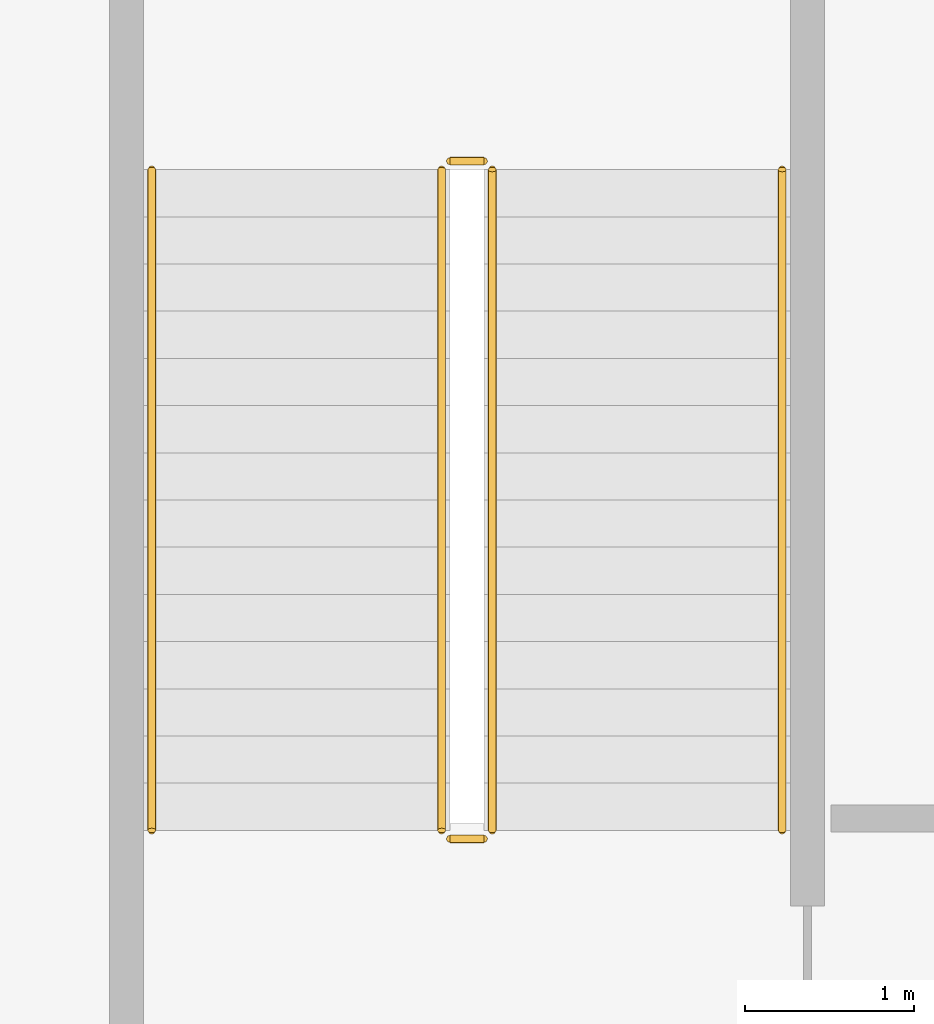
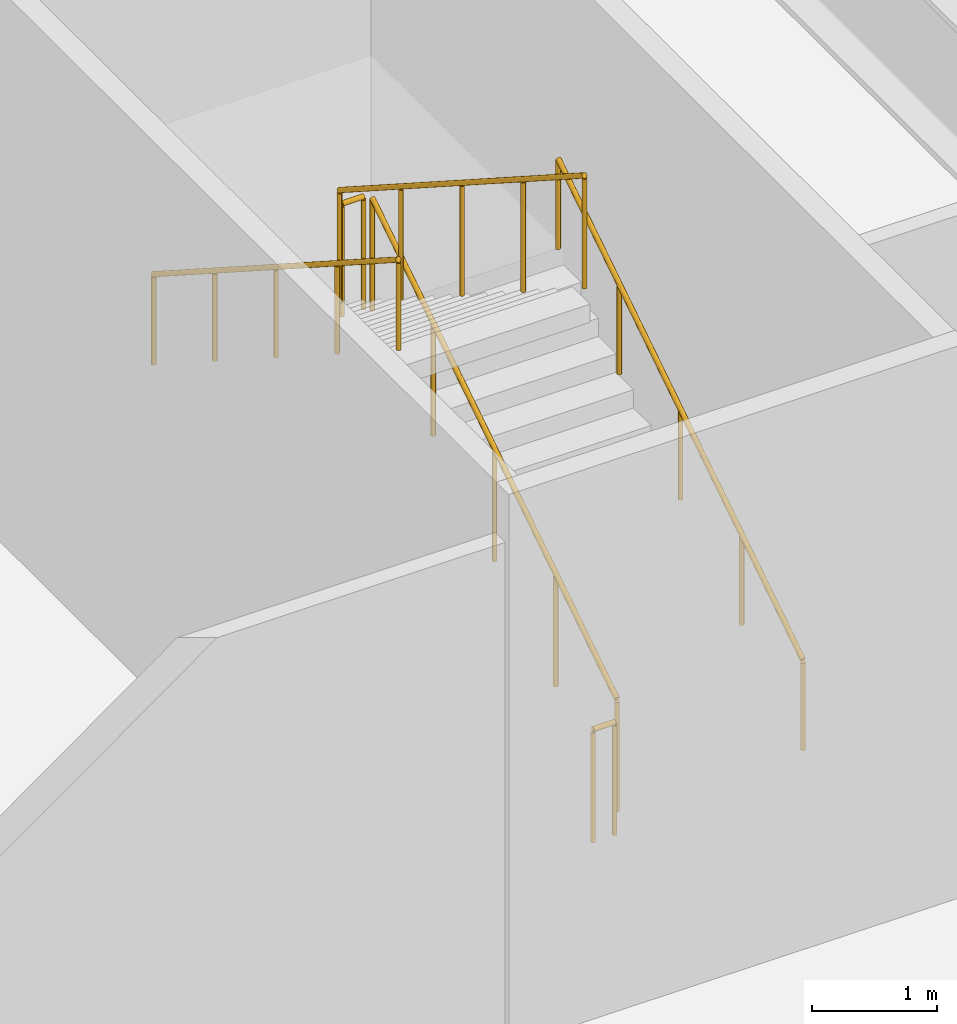
# One storey, part 23 of 24: 6 railings.
"""IFC4 building model written with IfcOpenShell, lengths in metres."""

from ifc_helpers import new_model, si_unit, direction, frame, origin, origin_2d, place, context, subcontext, project, spatial, circle, extrude, material, type_object, element, save


model = new_model("IFC4")

# Units and contexts
model_context = context("Model", 3, precision=1e-05, world=origin(), true_north=direction((0.0, 1.0)))
body_context = subcontext(model_context, "Body", "Model", "MODEL_VIEW")
ifc_project = project(units=[si_unit("LENGTHUNIT", "METRE"), si_unit("AREAUNIT", "SQUARE_METRE"), si_unit("VOLUMEUNIT", "CUBIC_METRE"), si_unit("PLANEANGLEUNIT", "RADIAN"), si_unit("MASSUNIT", "GRAM", prefix="KILO")], contexts=[model_context])

# Site, building, storey
site_placement = place(None, origin())
site = spatial("IfcSite", under=ifc_project, at=site_placement, CompositionType="ELEMENT")
building_placement = place(site_placement, origin())
building = spatial("IfcBuilding", under=site, at=building_placement, Name="Nefas-Gora Pilgrimage Tower", CompositionType="ELEMENT")
storey_placement = place(building_placement, frame((0.0, 0.0, 22.199951171875)))
storey = spatial("IfcBuildingStorey", under=building, at=storey_placement, Name="L04", CompositionType="ELEMENT", Elevation=22.199951171875)

# Railings
ifc_material_1 = material(Name="Painted galvanised steel", Category="steel")
railing_type_1 = type_object("IfcRailingType", Name="RLG-STR-GUARD-1100", PredefinedType="GUARDRAIL", material=ifc_material_1)
railing_1_placement = place(storey_placement, frame((-29.469970703125, 11.800048828125, 0.179931640625)))
element("IfcRailing", 1, at=railing_1_placement, inside=storey, type_object=railing_type_1, Name="L04 ST-04 stair guard 1", PredefinedType="GUARDRAIL", context=body_context, shape_type="SweptSolid", body=[
    extrude(circle(Radius=0.02392578125, at=origin_2d()), frame((0.0, 0.0, 1.09619140625), z_axis=(0.0, 0.841171666519, 0.540768182723), x_axis=(-1.0, 0.0, 0.0)), (0.0, 0.0, 1.0), 4.66015625),
    extrude(circle(Radius=0.02099609375, at=origin_2d()), origin(), (0.0, 0.0, 1.0), 1.072021484375),
    extrude(circle(Radius=0.02099609375, at=origin_2d()), frame((0.0, 0.97998046875, 0.6298828125)), (0.0, 0.0, 1.0), 1.072021484375),
    extrude(circle(Radius=0.02099609375, at=origin_2d()), frame((0.0, 1.9599609375, 1.260009765625)), (0.0, 0.0, 1.0), 1.072021484375),
    extrude(circle(Radius=0.02099609375, at=origin_2d()), frame((0.0, 2.93994140625, 1.89013671875)), (0.0, 0.0, 1.0), 1.072021484375),
    extrude(circle(Radius=0.02099609375, at=origin_2d()), frame((0.0, 3.919921875, 2.52001953125)), (0.0, 0.0, 1.0), 1.072021484375),
])
railing_2_placement = place(storey_placement, frame((-29.52001953125, 15.77001953125, 2.699951171875)))
element("IfcRailing", 2, at=railing_2_placement, inside=storey, type_object=railing_type_1, Name="L04 ST-04 stair guard 2", PredefinedType="GUARDRAIL", context=body_context, shape_type="SweptSolid", body=[
    extrude(circle(Radius=0.02392578125, at=origin_2d()), frame((0.0, 0.0, 1.09619140625), z_axis=(-1.0, 0.0, 0.0), x_axis=(0.0, -1.0, 0.0)), (0.0, 0.0, 1.0), 0.199951171875),
    extrude(circle(Radius=0.02099609375, at=origin_2d()), origin(), (0.0, 0.0, 1.0), 1.072021484375),
    extrude(circle(Radius=0.02099609375, at=origin_2d()), frame((-0.199951171875, 0.0, 0.0)), (0.0, 0.0, 1.0), 1.072021484375),
])
railing_3_placement = place(storey_placement, frame((-29.77001953125, 15.719970703125, 2.880126953125)))
element("IfcRailing", 3, at=railing_3_placement, inside=storey, type_object=railing_type_1, Name="L04 ST-04 stair guard 3", PredefinedType="GUARDRAIL", context=body_context, shape_type="SweptSolid", body=[
    extrude(circle(Radius=0.02392578125, at=origin_2d()), frame((0.0, 0.0, 1.09619140625), z_axis=(0.0, -0.841171666519, 0.540768182723), x_axis=(1.0, 0.0, 0.0)), (0.0, 0.0, 1.0), 4.66015625),
    extrude(circle(Radius=0.02099609375, at=origin_2d()), origin(), (0.0, 0.0, 1.0), 1.072021484375),
    extrude(circle(Radius=0.02099609375, at=origin_2d()), frame((0.0, -0.97998046875, 0.6298828125)), (0.0, 0.0, 1.0), 1.072021484375),
    extrude(circle(Radius=0.02099609375, at=origin_2d()), frame((0.0, -1.9599609375, 1.260009765625)), (0.0, 0.0, 1.0), 1.072021484375),
    extrude(circle(Radius=0.02099609375, at=origin_2d()), frame((0.0, -2.93994140625, 1.89013671875)), (0.0, 0.0, 1.0), 1.072021484375),
    extrude(circle(Radius=0.02099609375, at=origin_2d()), frame((0.0, -3.919921875, 2.52001953125)), (0.0, 0.0, 1.0), 1.072021484375),
])
railing_4_placement = place(storey_placement, frame((-29.52001953125, 11.75, 0.0)))
element("IfcRailing", 4, at=railing_4_placement, inside=storey, type_object=railing_type_1, Name="L04 ST-04 stair guard 4", PredefinedType="GUARDRAIL", context=body_context, shape_type="SweptSolid", body=[
    extrude(circle(Radius=0.02392578125, at=origin_2d()), frame((0.0, 0.0, 1.09619140625), z_axis=(-1.0, 0.0, 0.0), x_axis=(0.0, -1.0, 0.0)), (0.0, 0.0, 1.0), 0.199951171875),
    extrude(circle(Radius=0.02099609375, at=origin_2d()), origin(), (0.0, 0.0, 1.0), 1.072021484375),
    extrude(circle(Radius=0.02099609375, at=origin_2d()), frame((-0.199951171875, 0.0, 0.0)), (0.0, 0.0, 1.0), 1.072021484375),
])
ifc_material_2 = material(Name="Brushed stainless steel", Category="steel")
railing_type_2 = type_object("IfcRailingType", Name="RLG-STR-HAND-900", PredefinedType="HANDRAIL", material=ifc_material_2)
railing_5_placement = place(storey_placement, frame((-27.75, 11.800048828125, 0.179931640625)))
element("IfcRailing", 5, at=railing_5_placement, inside=storey, type_object=railing_type_2, Name="L04 ST-04 stair handrail 1", PredefinedType="HANDRAIL", context=body_context, shape_type="SweptSolid", body=[
    extrude(circle(Radius=0.02392578125, at=origin_2d()), frame((0.0, 0.0, 0.8759765625), z_axis=(0.0, 0.841171666519, 0.540768182723), x_axis=(-1.0, 0.0, 0.0)), (0.0, 0.0, 1.0), 4.66015625),
    extrude(circle(Radius=0.02099609375, at=origin_2d()), origin(), (0.0, 0.0, 1.0), 0.851806640625),
    extrude(circle(Radius=0.02099609375, at=origin_2d()), frame((0.0, 0.97998046875, 0.6298828125)), (0.0, 0.0, 1.0), 0.851806640625),
    extrude(circle(Radius=0.02099609375, at=origin_2d()), frame((0.0, 1.9599609375, 1.260009765625)), (0.0, 0.0, 1.0), 0.851806640625),
    extrude(circle(Radius=0.02099609375, at=origin_2d()), frame((0.0, 2.93994140625, 1.89013671875)), (0.0, 0.0, 1.0), 0.851806640625),
    extrude(circle(Radius=0.02099609375, at=origin_2d()), frame((0.0, 3.919921875, 2.52001953125)), (0.0, 0.0, 1.0), 0.851806640625),
])
railing_6_placement = place(storey_placement, frame((-31.489990234375, 15.719970703125, 2.880126953125)))
element("IfcRailing", 6, at=railing_6_placement, inside=storey, type_object=railing_type_2, Name="L04 ST-04 stair handrail 2", PredefinedType="HANDRAIL", context=body_context, shape_type="SweptSolid", body=[
    extrude(circle(Radius=0.02392578125, at=origin_2d()), frame((0.0, 0.0, 0.8759765625), z_axis=(0.0, -0.841171666519, 0.540768182723), x_axis=(1.0, 0.0, 0.0)), (0.0, 0.0, 1.0), 4.66015625),
    extrude(circle(Radius=0.02099609375, at=origin_2d()), origin(), (0.0, 0.0, 1.0), 0.851806640625),
    extrude(circle(Radius=0.02099609375, at=origin_2d()), frame((0.0, -0.97998046875, 0.6298828125)), (0.0, 0.0, 1.0), 0.851806640625),
    extrude(circle(Radius=0.02099609375, at=origin_2d()), frame((0.0, -1.9599609375, 1.260009765625)), (0.0, 0.0, 1.0), 0.851806640625),
    extrude(circle(Radius=0.02099609375, at=origin_2d()), frame((0.0, -2.93994140625, 1.89013671875)), (0.0, 0.0, 1.0), 0.851806640625),
    extrude(circle(Radius=0.02099609375, at=origin_2d()), frame((0.0, -3.919921875, 2.52001953125)), (0.0, 0.0, 1.0), 0.851806640625),
])

save(model, "model.ifc")
